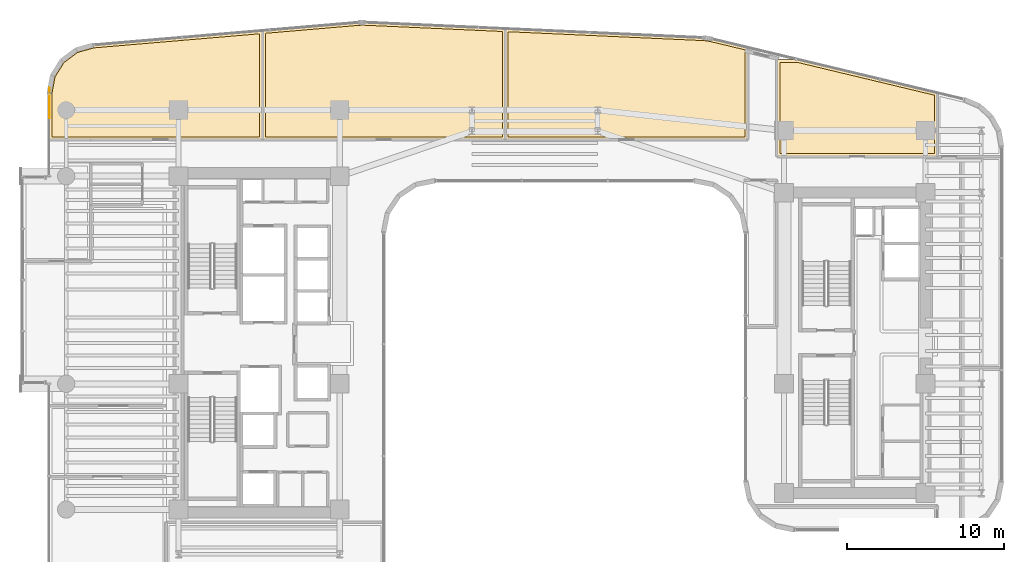
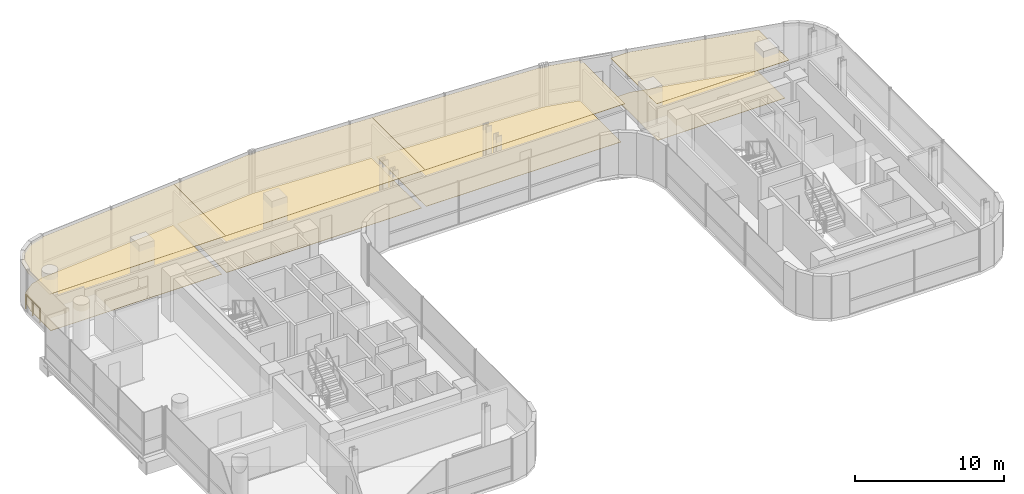
# One storey, part 34 of 34: 8 coverings, 1 railing.
"""IFC4 building model written with IfcOpenShell, lengths in metres."""

from ifc_helpers import new_model, si_unit, direction, frame, origin, origin_2d, place, context, subcontext, project, spatial, polyline, circle, outline, extrude, material, layer, layer_set, type_object, element, save


model = new_model("IFC4")

# Units and contexts
model_context = context("Model", 3, precision=1e-05, world=origin(), true_north=direction((0.0, 1.0)))
body_context = subcontext(model_context, "Body", "Model", "MODEL_VIEW")
ifc_project = project(units=[si_unit("LENGTHUNIT", "METRE"), si_unit("AREAUNIT", "SQUARE_METRE"), si_unit("VOLUMEUNIT", "CUBIC_METRE"), si_unit("PLANEANGLEUNIT", "RADIAN"), si_unit("MASSUNIT", "GRAM", prefix="KILO")], contexts=[model_context])

# Site, building, storey
site_placement = place(None, origin())
site = spatial("IfcSite", under=ifc_project, at=site_placement, CompositionType="ELEMENT")
building_placement = place(site_placement, origin())
building = spatial("IfcBuilding", under=site, at=building_placement, Name="Valdorenza Pilgrim Sanctuary Tower", CompositionType="ELEMENT")
storey_placement = place(building_placement, frame((0.0, 0.0, 146.39990234375)))
storey = spatial("IfcBuildingStorey", under=building, at=storey_placement, Name="L37", CompositionType="ELEMENT", Elevation=146.39990234375)

# Coverings
ifc_material_1 = material(Name="Micro-perforated acoustic mineral ceiling tile", Category="gypsum")
ifc_layer_1 = layer(ifc_material_1, 0.02490234375, Name="Micro-perforated acoustic mineral ceiling tile")
ifc_layer_set_1 = layer_set([ifc_layer_1], Name="Micro-perforated acoustic mineral ceiling tile")
covering_type_1 = type_object("IfcCoveringType", Name="COV-CLG-ACU", PredefinedType="CEILING", material=ifc_layer_set_1)
covering_1_placement = place(storey_placement, frame((0.0, 0.0, 3.16015625)))
element("IfcCovering", 1, at=covering_1_placement, inside=storey, type_object=covering_type_1, Name="L37 Private Banquet Dining Room L37-N1 Acoustic Ceiling", PredefinedType="CEILING", context=body_context, shape_type="SweptSolid", body=[
    extrude(outline(polyline([(-30.889892578125, 12.905029296875), (-30.8916015625, 12.905029296875), (-30.892822265625, 12.9052734375), (-30.894287109375, 12.905517578125), (-30.895751953125, 12.906005859375), (-30.897216796875, 12.90673828125), (-30.898193359375, 12.907470703125), (-30.8994140625, 12.908447265625), (-30.900634765625, 12.909423828125), (-30.901611328125, 12.910400390625), (-30.902587890625, 12.91162109375), (-30.9033203125, 12.912841796875), (-30.90380859375, 12.914306640625), (-30.904296875, 12.91552734375), (-30.90478515625, 12.9169921875), (-30.90478515625, 12.91845703125), (-30.905029296875, 12.919921875), (-30.905029296875, 15.850341796875), (-30.90478515625, 15.8515625), (-30.90478515625, 15.85302734375), (-30.692138671875, 16.984130859375), (-30.69189453125, 16.985595703125), (-30.69140625, 16.98681640625), (-30.69091796875, 16.98828125), (-30.690185546875, 16.989501953125), (-30.0869140625, 17.95751953125), (-30.086181640625, 17.958740234375), (-30.085205078125, 17.959716796875), (-30.084228515625, 17.960693359375), (-30.083251953125, 17.961669921875), (-29.169677734375, 18.64453125), (-29.16845703125, 18.6455078125), (-29.167236328125, 18.64599609375), (-29.166015625, 18.646484375), (-29.164794921875, 18.647216796875), (-28.055419921875, 18.95458984375), (-28.05419921875, 18.955078125), (-28.052734375, 18.955078125), (-17.311279296875, 19.8681640625), (-17.309814453125, 19.8681640625), (-17.308349609375, 19.8681640625), (-17.306884765625, 19.867919921875), (-17.305419921875, 19.86767578125), (-17.30419921875, 19.8671875), (-17.302734375, 19.866455078125), (-17.301513671875, 19.86572265625), (-17.30029296875, 19.86474609375), (-17.29931640625, 19.86376953125), (-17.29833984375, 19.86279296875), (-17.297607421875, 19.861572265625), (-17.296630859375, 19.8603515625), (-17.296142578125, 19.85888671875), (-17.295654296875, 19.857666015625), (-17.29541015625, 19.856201171875), (-17.295166015625, 19.854736328125), (-17.294921875, 19.853271484375), (-17.294921875, 12.919921875), (-17.295166015625, 12.91845703125), (-17.29541015625, 12.9169921875), (-17.295654296875, 12.91552734375), (-17.296142578125, 12.914306640625), (-17.296875, 12.912841796875), (-17.297607421875, 12.91162109375), (-17.29833984375, 12.910400390625), (-17.29931640625, 12.909423828125), (-17.300537109375, 12.908447265625), (-17.3017578125, 12.907470703125), (-17.302978515625, 12.90673828125), (-17.30419921875, 12.906005859375), (-17.3056640625, 12.905517578125), (-17.30712890625, 12.9052734375), (-17.30859375, 12.905029296875), (-17.31005859375, 12.905029296875), (-30.889892578125, 12.905029296875)])), origin(), (0.0, 0.0, 1.0), 0.02490234375),
])
covering_2_placement = place(storey_placement, frame((0.0, 0.0, 3.16015625)))
element("IfcCovering", 2, at=covering_2_placement, inside=storey, type_object=covering_type_1, Name="L37 Private Banquet Dining Room L37-N2 Acoustic Ceiling", PredefinedType="CEILING", context=body_context, shape_type="SweptSolid", body=[
    extrude(outline(polyline([(-17.322998046875, 19.853271484375), (-17.322998046875, 19.85400390625), (-17.322998046875, 19.855712890625), (-17.322509765625, 19.85693359375), (-17.322265625, 19.8583984375), (-17.321533203125, 19.859619140625), (-17.321044921875, 19.861083984375), (-17.3203125, 19.8623046875), (-17.3193359375, 19.86328125), (-17.318359375, 19.8642578125), (-17.317138671875, 19.865234375), (-17.31591796875, 19.8662109375), (-17.314697265625, 19.86669921875), (-17.3134765625, 19.867431640625), (-17.31201171875, 19.867919921875), (-17.310791015625, 19.8681640625), (-17.309326171875, 19.868408203125), (-11.20068359375, 20.3876953125), (-11.200439453125, 20.3876953125), (-11.099365234375, 20.39453125), (-11.098876953125, 20.39453125), (-10.998291015625, 20.398193359375), (-10.997802734375, 20.398193359375), (-10.897216796875, 20.398681640625), (-10.896728515625, 20.398681640625), (-10.79541015625, 20.3955078125), (-10.795166015625, 20.3955078125), (-1.87939453125, 19.990234375), (-1.8779296875, 19.990234375), (-1.87646484375, 19.989990234375), (-1.875, 19.989501953125), (-1.873779296875, 19.989013671875), (-1.87255859375, 19.98828125), (-1.871337890625, 19.987548828125), (-1.8701171875, 19.98681640625), (-1.869140625, 19.985595703125), (-1.8681640625, 19.984619140625), (-1.867431640625, 19.9833984375), (-1.86669921875, 19.982177734375), (-1.8662109375, 19.98095703125), (-1.865478515625, 19.9794921875), (-1.865234375, 19.978271484375), (-1.864990234375, 19.976806640625), (-1.864990234375, 19.975341796875), (-1.864990234375, 12.919921875), (-1.864990234375, 12.91845703125), (-1.865234375, 12.9169921875), (-1.865478515625, 12.91552734375), (-1.8662109375, 12.914306640625), (-1.86669921875, 12.912841796875), (-1.867431640625, 12.91162109375), (-1.868408203125, 12.910400390625), (-1.869384765625, 12.909423828125), (-1.87060546875, 12.908447265625), (-1.87158203125, 12.907470703125), (-1.872802734375, 12.90673828125), (-1.874267578125, 12.906005859375), (-1.87548828125, 12.905517578125), (-1.877197265625, 12.9052734375), (-1.87841796875, 12.905029296875), (-1.8798828125, 12.905029296875), (-17.30810546875, 12.905029296875), (-17.3095703125, 12.905029296875), (-17.310791015625, 12.9052734375), (-17.3125, 12.905517578125), (-17.313720703125, 12.906005859375), (-17.315185546875, 12.90673828125), (-17.31640625, 12.907470703125), (-17.3173828125, 12.908447265625), (-17.318603515625, 12.909423828125), (-17.319580078125, 12.910400390625), (-17.320556640625, 12.91162109375), (-17.3212890625, 12.912841796875), (-17.322021484375, 12.914306640625), (-17.322509765625, 12.91552734375), (-17.32275390625, 12.9169921875), (-17.322998046875, 12.91845703125), (-17.322998046875, 12.919921875), (-17.322998046875, 19.853271484375), (-17.322998046875, 19.853271484375)])), origin(), (0.0, 0.0, 1.0), 0.02490234375),
])
covering_3_placement = place(storey_placement, frame((0.0, 0.0, 3.16015625)))
element("IfcCovering", 3, at=covering_3_placement, inside=storey, type_object=covering_type_1, Name="L37 Private Banquet Dining Room L37-N3 Acoustic Ceiling", PredefinedType="CEILING", context=body_context, shape_type="SweptSolid", body=[
    extrude(outline(polyline([(-1.8779296875, 12.905029296875), (-1.87939453125, 12.905029296875), (-1.880859375, 12.9052734375), (-1.88232421875, 12.905517578125), (-1.8837890625, 12.906005859375), (-1.885009765625, 12.90673828125), (-1.88623046875, 12.907470703125), (-1.887451171875, 12.908447265625), (-1.888671875, 12.909423828125), (-1.8896484375, 12.910400390625), (-1.890380859375, 12.91162109375), (-1.89111328125, 12.912841796875), (-1.891845703125, 12.914306640625), (-1.892333984375, 12.91552734375), (-1.892578125, 12.9169921875), (-1.892822265625, 12.91845703125), (-1.89306640625, 12.919921875), (-1.89306640625, 19.97509765625), (-1.892822265625, 19.976806640625), (-1.892578125, 19.978271484375), (-1.892333984375, 19.979736328125), (-1.891845703125, 19.981201171875), (-1.89111328125, 19.982421875), (-1.890380859375, 19.98388671875), (-1.889404296875, 19.985107421875), (-1.888427734375, 19.986083984375), (-1.88720703125, 19.987060546875), (-1.885986328125, 19.98779296875), (-1.884765625, 19.98876953125), (-1.88330078125, 19.9892578125), (-1.8818359375, 19.98974609375), (-1.88037109375, 19.989990234375), (-1.87890625, 19.990234375), (-1.877197265625, 19.990234375), (10.690673828125, 19.4189453125), (10.69091796875, 19.4189453125), (10.838134765625, 19.40869140625), (10.8388671875, 19.40869140625), (10.984375, 19.3916015625), (10.985107421875, 19.3916015625), (11.12939453125, 19.36767578125), (11.130126953125, 19.36767578125), (11.274658203125, 19.336669921875), (11.27490234375, 19.33642578125), (13.553466796875, 18.791015625), (13.554931640625, 18.790771484375), (13.55615234375, 18.790283203125), (13.5576171875, 18.78955078125), (13.55859375, 18.788818359375), (13.559814453125, 18.787841796875), (13.560791015625, 18.786865234375), (13.561767578125, 18.785888671875), (13.5625, 18.78466796875), (13.563232421875, 18.783447265625), (13.56396484375, 18.781982421875), (13.564453125, 18.78076171875), (13.564697265625, 18.779296875), (13.56494140625, 18.778076171875), (13.56494140625, 18.776611328125), (13.56494140625, 12.919921875), (13.56494140625, 12.91845703125), (13.564697265625, 12.9169921875), (13.564453125, 12.91552734375), (13.56396484375, 12.914306640625), (13.563232421875, 12.912841796875), (13.5625, 12.91162109375), (13.5615234375, 12.910400390625), (13.560546875, 12.909423828125), (13.5595703125, 12.908447265625), (13.558349609375, 12.907470703125), (13.55712890625, 12.90673828125), (13.5556640625, 12.906005859375), (13.554443359375, 12.905517578125), (13.552978515625, 12.9052734375), (13.551513671875, 12.905029296875), (13.550048828125, 12.905029296875), (-1.8779296875, 12.905029296875)])), origin(), (0.0, 0.0, 1.0), 0.02490234375),
])
covering_4_placement = place(storey_placement, frame((0.0, 0.0, 3.16015625)))
element("IfcCovering", 4, at=covering_4_placement, inside=storey, type_object=covering_type_1, Name="L37 Curator Research Office L37-BN1 Acoustic Ceiling", PredefinedType="CEILING", context=body_context, shape_type="SweptSolid", body=[
    extrude(outline(polyline([(15.39990234375, 11.8349609375), (15.3984375, 11.835205078125), (15.397216796875, 11.835205078125), (15.3955078125, 11.835693359375), (15.394287109375, 11.836181640625), (15.392822265625, 11.8369140625), (15.3916015625, 11.83740234375), (15.390380859375, 11.83837890625), (15.389404296875, 11.83935546875), (15.388427734375, 11.840576171875), (15.387451171875, 11.841796875), (15.38671875, 11.843017578125), (15.385986328125, 11.84423828125), (15.385498046875, 11.845703125), (15.38525390625, 11.84716796875), (15.385009765625, 11.848388671875), (15.385009765625, 11.85009765625), (15.385009765625, 18.0), (15.385009765625, 18.00146484375), (15.38525390625, 18.0029296875), (15.385498046875, 18.00439453125), (15.385986328125, 18.005615234375), (15.38671875, 18.007080078125), (15.387451171875, 18.00830078125), (15.388427734375, 18.009521484375), (15.389404296875, 18.010498046875), (15.390380859375, 18.01171875), (15.3916015625, 18.012451171875), (15.392822265625, 18.01318359375), (15.394287109375, 18.013916015625), (15.3955078125, 18.014404296875), (15.397216796875, 18.0146484375), (15.3984375, 18.014892578125), (15.39990234375, 18.014892578125), (16.794189453125, 18.014892578125), (16.7958984375, 18.014892578125), (16.797607421875, 18.0146484375), (25.603515625, 15.90673828125), (25.60498046875, 15.906494140625), (25.606201171875, 15.906005859375), (25.607421875, 15.9052734375), (25.608642578125, 15.904541015625), (25.60986328125, 15.903564453125), (25.61083984375, 15.902587890625), (25.61181640625, 15.901611328125), (25.612548828125, 15.900390625), (25.61328125, 15.899169921875), (25.614013671875, 15.897705078125), (25.614501953125, 15.896484375), (25.61474609375, 15.89501953125), (25.614990234375, 15.893798828125), (25.614990234375, 15.892333984375), (25.614990234375, 11.85009765625), (25.614990234375, 11.848388671875), (25.61474609375, 11.84716796875), (25.614501953125, 11.845703125), (25.614013671875, 11.84423828125), (25.61328125, 11.843017578125), (25.612548828125, 11.841796875), (25.611572265625, 11.840576171875), (25.610595703125, 11.83935546875), (25.609619140625, 11.83837890625), (25.6083984375, 11.83740234375), (25.607177734375, 11.8369140625), (25.605712890625, 11.836181640625), (25.6044921875, 11.835693359375), (25.602783203125, 11.835205078125), (25.6015625, 11.835205078125), (25.60009765625, 11.8349609375), (15.39990234375, 11.8349609375)])), origin(), (0.0, 0.0, 1.0), 0.02490234375),
])
ifc_material_2 = material(Name="Engineered European oak timber flooring", Category="wood")
ifc_layer_2 = layer(ifc_material_2, 0.02197265625, Name="Engineered European oak timber flooring")
ifc_layer_set_2 = layer_set([ifc_layer_2], Name="Engineered European oak timber flooring")
covering_type_2 = type_object("IfcCoveringType", Name="COV-FLR-OAK", PredefinedType="FLOORING", material=ifc_layer_set_2)
covering_5_placement = place(storey_placement, origin())
element("IfcCovering", 5, at=covering_5_placement, inside=storey, type_object=covering_type_2, Name="L37 Private Banquet Dining Room L37-N1 Flooring", PredefinedType="FLOORING", context=body_context, shape_type="SweptSolid", body=[
    extrude(outline(polyline([(-30.7099609375, 13.10009765625), (-30.7099609375, 15.83349609375), (-30.5068359375, 16.9150390625), (-29.939208984375, 17.82568359375), (-29.080078125, 18.46826171875), (-28.01953125, 18.76220703125), (-17.489990234375, 19.6572265625), (-17.489990234375, 13.10009765625), (-30.7099609375, 13.10009765625)])), origin(), (0.0, 0.0, 1.0), 0.025146484375),
])
covering_6_placement = place(storey_placement, origin())
element("IfcCovering", 6, at=covering_6_placement, inside=storey, type_object=covering_type_2, Name="L37 Private Banquet Dining Room L37-N2 Flooring", PredefinedType="FLOORING", context=body_context, shape_type="SweptSolid", body=[
    extrude(outline(polyline([(-17.1279296875, 13.10009765625), (-17.1279296875, 19.68798828125), (-11.185546875, 20.193115234375), (-11.0888671875, 20.199951171875), (-10.994140625, 20.203125), (-10.8994140625, 20.20361328125), (-10.802490234375, 20.20068359375), (-2.06005859375, 19.80322265625), (-2.06005859375, 13.10009765625), (-17.1279296875, 13.10009765625)])), origin(), (0.0, 0.0, 1.0), 0.025146484375),
])
covering_7_placement = place(storey_placement, origin())
element("IfcCovering", 7, at=covering_7_placement, inside=storey, type_object=covering_type_2, Name="L37 Private Banquet Dining Room L37-N3 Flooring", PredefinedType="FLOORING", context=body_context, shape_type="SweptSolid", body=[
    extrude(outline(polyline([(-1.697998046875, 13.10009765625), (-1.697998046875, 19.786865234375), (10.6796875, 19.224365234375), (10.820556640625, 19.214599609375), (10.95751953125, 19.198486328125), (11.093505859375, 19.176025390625), (11.231689453125, 19.146484375), (13.3701171875, 18.634521484375), (13.3701171875, 13.10009765625), (-1.697998046875, 13.10009765625)])), origin(), (0.0, 0.0, 1.0), 0.025146484375),
])
ifc_material_3 = material(Name="Honed travertine stone flooring", Category="masonry")
ifc_layer_3 = layer(ifc_material_3, 0.030029296875, Name="Honed travertine stone flooring")
ifc_layer_set_3 = layer_set([ifc_layer_3], Name="Honed travertine stone flooring")
covering_type_3 = type_object("IfcCoveringType", Name="COV-FLR-TRV", PredefinedType="FLOORING", material=ifc_layer_set_3)
covering_8_placement = place(storey_placement, origin())
element("IfcCovering", 8, at=covering_8_placement, inside=storey, type_object=covering_type_3, Name="L37 Curator Research Office L37-BN1 Flooring", PredefinedType="FLOORING", context=body_context, shape_type="SweptSolid", body=[
    extrude(outline(polyline([(15.580078125, 12.030029296875), (15.580078125, 17.820068359375), (16.77294921875, 17.820068359375), (25.419921875, 15.750244140625), (25.419921875, 12.030029296875), (15.580078125, 12.030029296875)])), origin(), (0.0, 0.0, 1.0), 0.025146484375),
])

# Railing
ifc_material_4 = material(Name="Stainless steel Grade 316", Category="steel")
railing_type = type_object("IfcRailingType", Name="RLG-GRD-1120", PredefinedType="GUARDRAIL", material=ifc_material_4)
railing_placement = place(storey_placement, frame((-30.860107421875, 14.300048828125, 0.0)))
element("IfcRailing", 9, at=railing_placement, inside=storey, type_object=railing_type, Name="L37 NW Tangent Safety Sill Guard", PredefinedType="GUARDRAIL", context=body_context, shape_type="SweptSolid", body=[
    extrude(circle(Radius=0.02392578125, at=origin_2d()), frame((0.0, 0.0, 1.17578125), z_axis=(0.0, 1.0, 0.0), x_axis=(-1.0, 0.0, 0.0)), (0.0, 0.0, 1.0), 1.89990234375),
    extrude(circle(Radius=0.02099609375, at=origin_2d()), origin(), (0.0, 0.0, 1.0), 1.15185546875),
    extrude(circle(Radius=0.02099609375, at=origin_2d()), frame((0.0, 0.949951171875, 0.0)), (0.0, 0.0, 1.0), 1.15185546875),
    extrude(circle(Radius=0.02099609375, at=origin_2d()), frame((0.0, 1.89990234375, 0.0)), (0.0, 0.0, 1.0), 1.15185546875),
])

save(model, "model.ifc")
